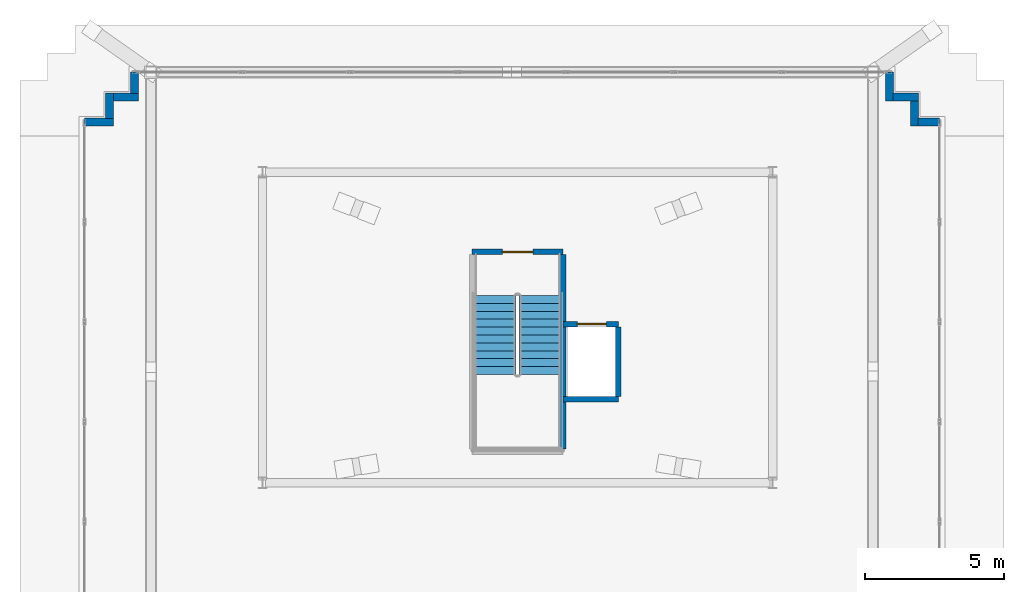
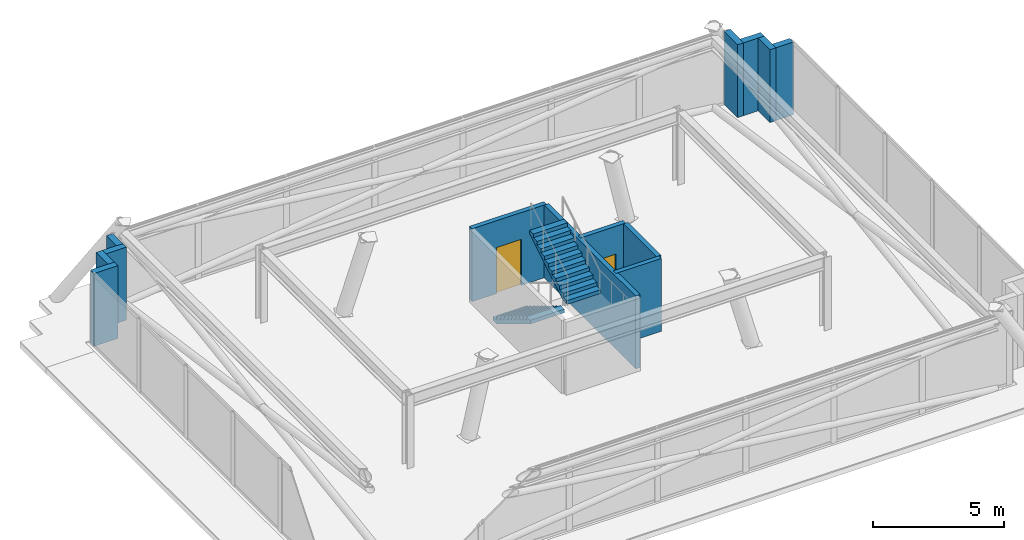
# One storey, part 12 of 15: 13 walls, 2 doors, 2 stair flights, 2 openings, 1 element without a shape of its own.
"""IFC4 building model written with IfcOpenShell, lengths in metres."""

from ifc_helpers import new_model, si_unit, direction, frame, frame_2d, origin, place, context, subcontext, project, spatial, polyline, rectangle, outline, extrude, material, layer, layer_set, type_object, element, fill, aggregate, save


model = new_model("IFC4")

# Units and contexts
model_context = context("Model", 3, precision=1e-05, world=origin(), true_north=direction((0.0, 1.0)))
body_context = subcontext(model_context, "Body", "Model", "MODEL_VIEW")
ifc_project = project(units=[si_unit("LENGTHUNIT", "METRE"), si_unit("AREAUNIT", "SQUARE_METRE"), si_unit("VOLUMEUNIT", "CUBIC_METRE"), si_unit("PLANEANGLEUNIT", "RADIAN"), si_unit("MASSUNIT", "GRAM", prefix="KILO")], contexts=[model_context])

# Site, building, storey
site_placement = place(None, origin())
site = spatial("IfcSite", under=ifc_project, at=site_placement, CompositionType="ELEMENT")
building_placement = place(site_placement, origin())
building = spatial("IfcBuilding", under=site, at=building_placement, Name="Qobustan Lattice House", CompositionType="ELEMENT")
storey_placement = place(building_placement, frame((0.0, 0.0, 281.60009765625)))
storey = spatial("IfcBuildingStorey", under=building, at=storey_placement, Name="L79", CompositionType="ELEMENT", Elevation=281.60009765625)

# Walls
ifc_material_1 = material(Name="Precast concrete C40/50", Category="concrete")
ifc_layer_1 = layer(ifc_material_1, 0.280029296875)
ifc_layer_set_1 = layer_set([ifc_layer_1], Name="Precast concrete C40/50")
wall_type_1 = type_object("IfcWallType", Name="WAL-EXT-CROWN-280", PredefinedType="SOLIDWALL", material=ifc_layer_set_1)
wall_1_placement = place(storey_placement, frame((-15.6201171875, 7.405029296875, 0.0), z_axis=(0.0, 0.0, 1.0), x_axis=(1.0, 0.0, 0.0)))
element("IfcWall", 1, at=wall_1_placement, inside=storey, type_object=wall_type_1, Name="L79 crown faceted limestone wall 6", PredefinedType="SOLIDWALL", context=body_context, shape_type="SweptSolid", body=[
    extrude(rectangle(XDim=1.0400390625, YDim=0.280029296875, at=frame_2d((0.52001953125, 0.0))), origin(), (0.0, 0.0, 1.0), 3.39990234375),
])
for number, where, z_axis, x_axis, name in (
    (2, (-14.719970703125, 7.532958984375, 0.0), (0.0, 0.0, 1.0), (0.0, 1.0, 0.0), "L79 crown faceted limestone wall 7"),
    (3, (-14.592041015625, 8.304931640625, 0.0), (0.0, 0.0, 1.0), (1.0, 0.0, 0.0), "L79 crown faceted limestone wall 8"),
):
    element("IfcWall", number, at=place(storey_placement, frame(where, z_axis=z_axis, x_axis=x_axis)), inside=storey, type_object=wall_type_1, Name=name, PredefinedType="SOLIDWALL", context=body_context, shape_type="SweptSolid", body=[
        extrude(rectangle(XDim=0.912109375, YDim=0.280029296875, at=frame_2d((0.4560546875, 0.0))), origin(), (0.0, 0.0, 1.0), 3.39990234375),
    ])
wall_2_placement = place(storey_placement, frame((-13.820068359375, 8.43310546875, 0.0), z_axis=(0.0, 0.0, 1.0), x_axis=(0.0, 1.0, 0.0)))
element("IfcWall", 4, at=wall_2_placement, inside=storey, type_object=wall_type_1, Name="L79 crown faceted limestone wall 9", PredefinedType="SOLIDWALL", context=body_context, shape_type="SweptSolid", body=[
    extrude(rectangle(XDim=0.77197265625, YDim=0.280029296875, at=frame_2d((0.385986328125, 0.0))), origin(), (0.0, 0.0, 1.0), 3.39990234375),
])
wall_3_placement = place(storey_placement, frame((13.419921875, 9.205078125, 0.0), z_axis=(0.0, 0.0, 1.0), x_axis=(0.0, -1.0, 0.0)))
element("IfcWall", 5, at=wall_3_placement, inside=storey, type_object=wall_type_1, Name="L79 crown faceted limestone wall 11", PredefinedType="SOLIDWALL", context=body_context, shape_type="SweptSolid", body=[
    extrude(rectangle(XDim=1.0400390625, YDim=0.280029296875, at=frame_2d((0.52001953125, 0.0))), origin(), (0.0, 0.0, 1.0), 3.39990234375),
])
wall_4_placement = place(storey_placement, frame((13.548095703125, 8.304931640625, 0.0), z_axis=(0.0, 0.0, 1.0), x_axis=(1.0, 0.0, 0.0)))
element("IfcWall", 6, at=wall_4_placement, inside=storey, type_object=wall_type_1, Name="L79 crown faceted limestone wall 12", PredefinedType="SOLIDWALL", context=body_context, shape_type="SweptSolid", body=[
    extrude(rectangle(XDim=0.911865234375, YDim=0.280029296875, at=frame_2d((0.4560546875, 0.0))), origin(), (0.0, 0.0, 1.0), 3.39990234375),
])
wall_5_placement = place(storey_placement, frame((14.320068359375, 8.177001953125, 0.0), z_axis=(0.0, 0.0, 1.0), x_axis=(0.0, -1.0, 0.0)))
element("IfcWall", 7, at=wall_5_placement, inside=storey, type_object=wall_type_1, Name="L79 crown faceted limestone wall 13", PredefinedType="SOLIDWALL", context=body_context, shape_type="SweptSolid", body=[
    extrude(rectangle(XDim=0.912109375, YDim=0.280029296875, at=frame_2d((0.4560546875, 0.0))), origin(), (0.0, 0.0, 1.0), 3.39990234375),
])
wall_6_placement = place(storey_placement, frame((14.447998046875, 7.405029296875, 0.0), z_axis=(0.0, 0.0, 1.0), x_axis=(1.0, 0.0, 0.0)))
element("IfcWall", 8, at=wall_6_placement, inside=storey, type_object=wall_type_1, Name="L79 crown faceted limestone wall 14", PredefinedType="SOLIDWALL", context=body_context, shape_type="SweptSolid", body=[
    extrude(rectangle(XDim=0.77197265625, YDim=0.280029296875, at=frame_2d((0.385986328125, 0.0))), origin(), (0.0, 0.0, 1.0), 3.39990234375),
])

# Wall, opening, door
ifc_material_2 = material(Name="Concrete C40/50", Category="concrete")
ifc_layer_2 = layer(ifc_material_2, 0.199951171875)
ifc_layer_set_2 = layer_set([ifc_layer_2], Name="Concrete C40/50")
wall_type_2 = type_object("IfcWallType", Name="WAL-SHAFT-LB-200", PredefinedType="SHEAR", material=ifc_layer_set_2)
wall_7_placement = place(storey_placement, frame((-1.639892578125, 2.719970703125, 0.0), z_axis=(0.0, 0.0, 1.0), x_axis=(1.0, 0.0, 0.0)))
wall_7 = element("IfcWall", 9, at=wall_7_placement, inside=storey, type_object=wall_type_2, Name="L79 crown stair ST-C1 RC shaft wall STC-N", PredefinedType="SHEAR", context=body_context, shape_type="SweptSolid", body=[
    extrude(rectangle(XDim=3.27978515625, YDim=0.199951171875, at=frame_2d((1.639892578125, 0.0))), origin(), (0.0, 0.0, 1.0), 3.39990234375),
])
opening_1_placement = place(wall_7_placement, frame((1.090087890625, 0.0, 0.0)))
opening_1 = element("IfcOpeningElement", 10, at=opening_1_placement, cuts=wall_7, Name="Opening SD-01", PredefinedType="OPENING", context=body_context, shape_type="SweptSolid", body=[
    extrude(rectangle(XDim=1.10009765625, YDim=2.14990234375, at=frame_2d((0.550048828125, 1.074951171875))), frame((0.0, 0.10986328125, 0.0), z_axis=(0.0, -1.0, 0.0), x_axis=(1.0, 0.0, 0.0)), (0.0, 0.0, 1.0), 0.219970703125),
])
ifc_material_3 = material(Name="Persian walnut timber and steel frame door", Category="steel")
door_type_1 = type_object("IfcDoorType", Name="DOR-STAIR-FD-1100x2150", OperationType="NOTDEFINED", PredefinedType="DOOR", material=ifc_material_3)
door_1_placement = place(opening_1_placement, origin())
door_1 = element("IfcDoor", 11, at=door_1_placement, inside=storey, type_object=door_type_1, Name="L79 crown access stair ST-C1 fire door", OperationType="SINGLE_SWING_LEFT", OverallHeight=2.14990234375, OverallWidth=1.10009765625, PredefinedType="DOOR", context=body_context, shape_type="SweptSolid", body=[
    extrude(rectangle(XDim=1.10009765625, YDim=2.14990234375, at=frame_2d((0.550048828125, 1.074951171875))), frame((0.0, 0.02490234375, 0.0), z_axis=(0.0, -1.0, 0.0), x_axis=(1.0, 0.0, 0.0)), (0.0, 0.0, 1.0), 0.050048828125),
])
fill(opening_1, door_1)

# Wall
wall_8_placement = place(storey_placement, frame((1.639892578125, -4.3798828125, 0.0), z_axis=(0.0, 0.0, 1.0), x_axis=(0.0, 1.0, 0.0)))
element("IfcWall", 12, at=wall_8_placement, inside=storey, type_object=wall_type_2, Name="L79 crown stair ST-C1 RC shaft wall STC-E", PredefinedType="SHEAR", context=body_context, shape_type="SweptSolid", body=[
    extrude(rectangle(XDim=7.0, YDim=0.199951171875, at=frame_2d((3.5, 0.0))), origin(), (0.0, 0.0, 1.0), 3.39990234375),
])

# Wall, opening, door
wall_9_placement = place(storey_placement, frame((1.639892578125, 0.1201171875, 0.0), z_axis=(0.0, 0.0, 1.0), x_axis=(1.0, 0.0, 0.0)))
wall_9 = element("IfcWall", 13, at=wall_9_placement, inside=storey, type_object=wall_type_2, Name="L79 crown firefighting lift RC shaft wall FFC-N", PredefinedType="SHEAR", context=body_context, shape_type="SweptSolid", body=[
    extrude(rectangle(XDim=2.0, YDim=0.199951171875, at=frame_2d((1.0, 0.0))), origin(), (0.0, 0.0, 1.0), 3.39990234375),
])
opening_2_placement = place(wall_9_placement, frame((0.514892578125, 0.0, 0.0)))
opening_2 = element("IfcOpeningElement", 14, at=opening_2_placement, cuts=wall_9, Name="Opening LD-01", PredefinedType="OPENING", context=body_context, shape_type="SweptSolid", body=[
    extrude(rectangle(XDim=1.050048828125, YDim=2.10009765625, at=frame_2d((0.52490234375, 1.050048828125))), frame((0.0, 0.10986328125, 0.0), z_axis=(0.0, -1.0, 0.0), x_axis=(1.0, 0.0, 0.0)), (0.0, 0.0, 1.0), 0.219970703125),
])
ifc_material_4 = material(Name="Persian walnut timber and steel frame door", Category="steel")
door_type_2 = type_object("IfcDoorType", Name="DOR-LIFT-LD-1050x2100", OperationType="NOTDEFINED", PredefinedType="DOOR", material=ifc_material_4)
door_2_placement = place(opening_2_placement, origin())
door_2 = element("IfcDoor", 15, at=door_2_placement, inside=storey, type_object=door_type_2, Name="L79 crown firefighting lift FF-C landing door", OperationType="DOUBLE_DOOR_SLIDING", OverallHeight=2.10009765625, OverallWidth=1.050048828125, PredefinedType="DOOR", context=body_context, shape_type="SweptSolid", body=[
    extrude(rectangle(XDim=1.050048828125, YDim=2.10009765625, at=frame_2d((0.52490234375, 1.050048828125))), frame((0.0, 0.02490234375, 0.0), z_axis=(0.0, -1.0, 0.0), x_axis=(1.0, 0.0, 0.0)), (0.0, 0.0, 1.0), 0.050048828125),
])
fill(opening_2, door_2)

# Walls
wall_10_placement = place(storey_placement, frame((1.639892578125, -2.60009765625, 0.0), z_axis=(0.0, 0.0, 1.0), x_axis=(1.0, 0.0, 0.0)))
element("IfcWall", 16, at=wall_10_placement, inside=storey, type_object=wall_type_2, Name="L79 crown firefighting lift RC shaft wall FFC-S", PredefinedType="SHEAR", context=body_context, shape_type="SweptSolid", body=[
    extrude(rectangle(XDim=2.0, YDim=0.199951171875, at=frame_2d((1.0, 0.0))), origin(), (0.0, 0.0, 1.0), 3.39990234375),
])
wall_11_placement = place(storey_placement, frame((3.639892578125, -2.5, 0.0), z_axis=(0.0, 0.0, 1.0), x_axis=(0.0, 1.0, 0.0)))
element("IfcWall", 17, at=wall_11_placement, inside=storey, type_object=wall_type_2, Name="L79 crown firefighting lift RC shaft wall FFC-E", PredefinedType="SHEAR", context=body_context, shape_type="SweptSolid", body=[
    extrude(rectangle(XDim=2.52001953125, YDim=0.199951171875, at=frame_2d((1.260009765625, 0.0))), origin(), (0.0, 0.0, 1.0), 3.39990234375),
])

# Stair, stair flights
ifc_material_5 = material(Name="Concrete C40/50", Category="concrete")
stair_type = type_object("IfcStairType", Name="STR-CORE-DOGLEG", PredefinedType="HALF_TURN_STAIR", material=ifc_material_5)
stair_placement = place(storey_placement, origin())
stair = element("IfcStair", 18, at=stair_placement, inside=storey, type_object=stair_type, Name="L79 Crown access stair ST-C1", PredefinedType="HALF_TURN_STAIR")
ifc_material_6 = material(Name="Concrete C40/50", Category="concrete")
stair_flight_type = type_object("IfcStairFlightType", Name="SFL-RC-1500", PredefinedType="STRAIGHT", material=ifc_material_6)
stair_flight_1_placement = place(storey_placement, frame((-0.81005859375, 1.14990234375, 0.0), z_axis=(0.0, 0.0, 1.0), x_axis=(0.0, -1.0, 0.0)))
stair_flight_1 = element("IfcStairFlight", 19, at=stair_flight_1_placement, type_object=stair_flight_type, Name="ST-C1 flight 1", NumberOfRisers=11, NumberOfTreads=10, PredefinedType="STRAIGHT", RiserHeight=0.172727273, TreadLength=0.285, context=body_context, shape_type="SweptSolid", body=[
    extrude(outline(polyline([(0.0, 0.0), (0.0, 0.172607421875), (0.284912109375, 0.172607421875), (0.284912109375, 0.345458984375), (0.570068359375, 0.345458984375), (0.570068359375, 0.51806640625), (0.85498046875, 0.51806640625), (0.85498046875, 0.69091796875), (1.139892578125, 0.69091796875), (1.139892578125, 0.863525390625), (1.425048828125, 0.863525390625), (1.425048828125, 1.036376953125), (1.7099609375, 1.036376953125), (1.7099609375, 1.208984375), (1.9951171875, 1.208984375), (1.9951171875, 1.3818359375), (2.280029296875, 1.3818359375), (2.280029296875, 1.554443359375), (2.56494140625, 1.554443359375), (2.56494140625, 1.727294921875), (2.85009765625, 1.727294921875), (2.85009765625, 1.89990234375), (2.85009765625, 1.552001953125), (0.289306640625, 0.0), (0.0, 0.0)])), frame((0.0, 0.75, 0.0), z_axis=(0.0, -1.0, 0.0), x_axis=(1.0, 0.0, 0.0)), (0.0, 0.0, 1.0), 1.5),
])
stair_flight_2_placement = place(storey_placement, frame((0.81005859375, -1.699951171875, 1.89990234375), z_axis=(0.0, 0.0, 1.0), x_axis=(0.0, 1.0, 0.0)))
stair_flight_2 = element("IfcStairFlight", 20, at=stair_flight_2_placement, type_object=stair_flight_type, Name="ST-C1 flight 2", NumberOfRisers=11, NumberOfTreads=10, PredefinedType="STRAIGHT", RiserHeight=0.172727273, TreadLength=0.285, context=body_context, shape_type="SweptSolid", body=[
    extrude(outline(polyline([(0.0, 0.0), (0.0, 0.172607421875), (0.284912109375, 0.172607421875), (0.284912109375, 0.345458984375), (0.570068359375, 0.345458984375), (0.570068359375, 0.51806640625), (0.85498046875, 0.51806640625), (0.85498046875, 0.69091796875), (1.139892578125, 0.69091796875), (1.139892578125, 0.863525390625), (1.425048828125, 0.863525390625), (1.425048828125, 1.036376953125), (1.7099609375, 1.036376953125), (1.7099609375, 1.208984375), (1.9951171875, 1.208984375), (1.9951171875, 1.3818359375), (2.280029296875, 1.3818359375), (2.280029296875, 1.554443359375), (2.56494140625, 1.554443359375), (2.56494140625, 1.727294921875), (2.85009765625, 1.727294921875), (2.85009765625, 1.89990234375), (2.85009765625, 1.552001953125), (0.289306640625, 0.0), (0.0, 0.0)])), frame((0.0, 0.75, 0.0), z_axis=(0.0, -1.0, 0.0), x_axis=(1.0, 0.0, 0.0)), (0.0, 0.0, 1.0), 1.5),
])
aggregate(stair, [stair_flight_1, stair_flight_2])

save(model, "model.ifc")
